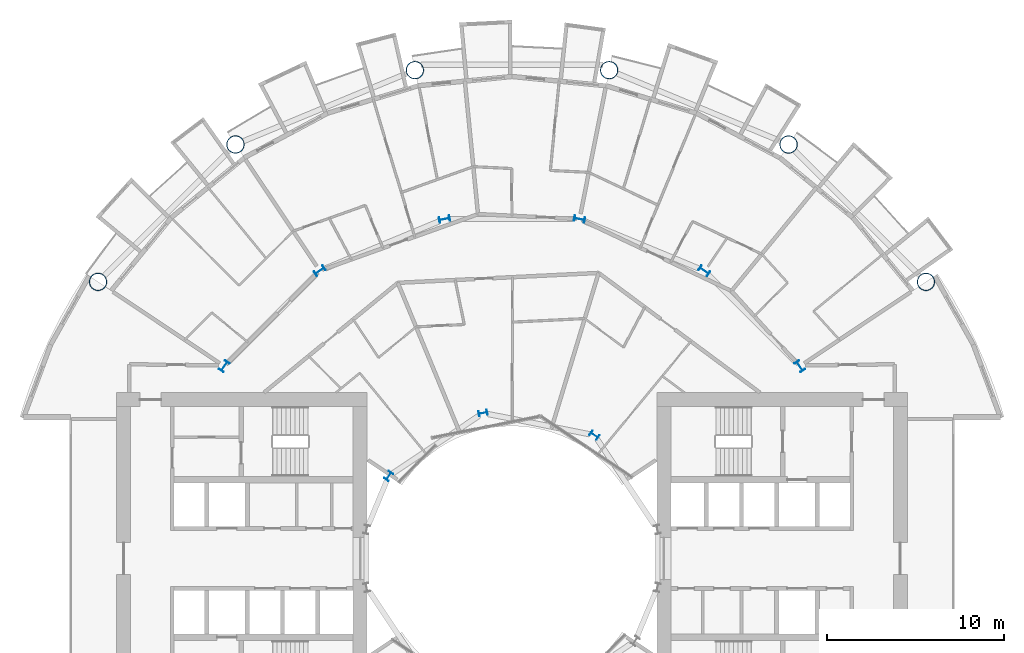
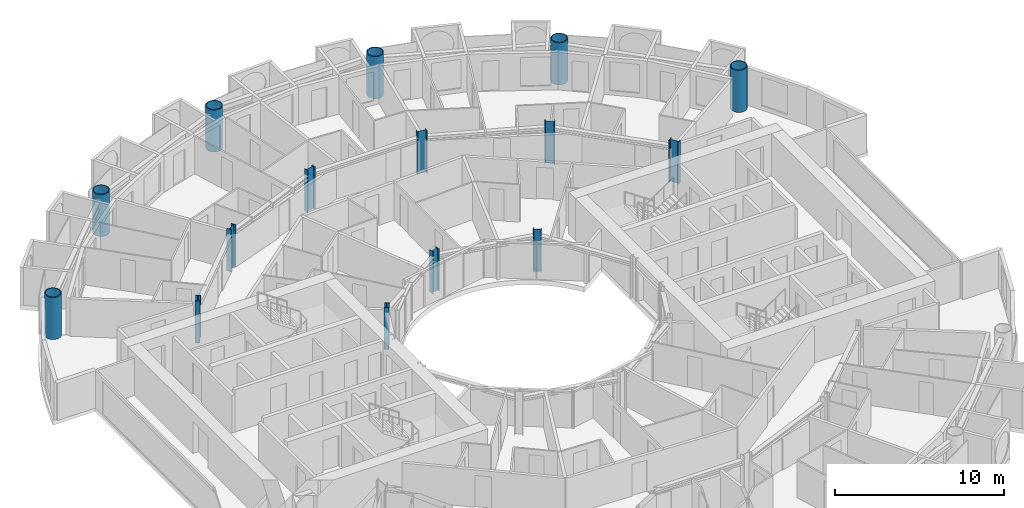
# One storey, part 3 of 25: 15 columns.
"""IFC4 building model written with IfcOpenShell, lengths in metres."""

from ifc_helpers import new_model, si_unit, direction, frame, origin, origin_2d, place, context, subcontext, project, spatial, hollow_circle, i_section, extrude, material, material_profile, profile_set, type_object, element, save


model = new_model("IFC4")

# Units and contexts
model_context = context("Model", 3, precision=1e-05, world=origin(), true_north=direction((0.0, 1.0)))
body_context = subcontext(model_context, "Body", "Model", "MODEL_VIEW")
ifc_project = project(units=[si_unit("LENGTHUNIT", "METRE"), si_unit("AREAUNIT", "SQUARE_METRE"), si_unit("VOLUMEUNIT", "CUBIC_METRE"), si_unit("PLANEANGLEUNIT", "RADIAN"), si_unit("MASSUNIT", "GRAM", prefix="KILO")], contexts=[model_context])

# Site, building, storey
site_placement = place(None, origin())
site = spatial("IfcSite", under=ifc_project, at=site_placement, CompositionType="ELEMENT")
building_placement = place(site_placement, origin())
building = spatial("IfcBuilding", under=site, at=building_placement, Name="Maasbend Ring Residences", CompositionType="ELEMENT")
storey_placement = place(building_placement, frame((0.0, 0.0, 41.10009765625)))
storey = spatial("IfcBuildingStorey", under=building, at=storey_placement, Name="L11", CompositionType="ELEMENT", Elevation=41.10009765625)

# Columns
ifc_material_1 = material(Name="Composite concrete-filled steel tube S460NH / C80/95", Category="concrete")
ifc_material_profile_1 = material_profile(ifc_material_1, hollow_circle(Radius=0.508056640625, WallThickness=0.050048828125, at=origin_2d()), Name="Composite tube column CHS 1016x50")
ifc_profile_set_1 = profile_set([ifc_material_profile_1], Name="Composite concrete-filled steel tube S460NH / C80/95")
column_type_1 = type_object("IfcColumnType", Name="Composite tube column CHS 1016x50", PredefinedType="COLUMN", material=ifc_profile_set_1)
for number, where, z_axis, x_axis, name in (
    (1, (23.447509765625, 15.6669921875, 0.0), (0.0, 0.0, 1.0), (1.0, 0.0, 0.0), "Outer column R2"),
    (2, (15.6669921875, 23.447509765625, 0.0), (0.0, 0.0, 1.0), (1.0, 0.0, 0.0), "Outer column R3"),
    (3, (5.50146484375, 27.658203125, 0.0), (0.0, 0.0, 1.0), (1.0, 0.0, 0.0), "Outer column R4"),
    (4, (-5.50146484375, 27.658203125, 0.0), (0.0, 0.0, 1.0), (1.0, 0.0, 0.0), "Outer column R5"),
    (5, (-15.6669921875, 23.447509765625, 0.0), (0.0, 0.0, 1.0), (1.0, 0.0, 0.0), "Outer column R6"),
    (6, (-23.447509765625, 15.6669921875, 0.0), (0.0, 0.0, 1.0), (1.0, 0.0, 0.0), "Outer column R7"),
):
    element("IfcColumn", number, at=place(storey_placement, frame(where, z_axis=z_axis, x_axis=x_axis)), inside=storey, type_object=column_type_1, Name=name, PredefinedType="COLUMN", context=body_context, shape_type="SweptSolid", body=[
        extrude(hollow_circle(Radius=0.508056640625, WallThickness=0.050048828125, at=origin_2d()), origin(), (0.0, 0.0, 1.0), 3.0498046875),
    ])
ifc_material_2 = material(Name="Steel S355J2", Category="steel")
ifc_material_profile_2 = material_profile(ifc_material_2, i_section(OverallWidth=0.300048828125, OverallDepth=0.5, WebThickness=0.014404296875, FlangeThickness=0.028076171875, FilletRadius=0.027099609375, at=origin_2d()), Name="HEB 500")
ifc_profile_set_2 = profile_set([ifc_material_profile_2], Name="Steel S355J2")
column_type_2 = type_object("IfcColumnType", Name="Steel column HEB 500", PredefinedType="COLUMN", material=ifc_profile_set_2)
for number, where, z_axis, x_axis, name in (
    (7, (4.666748046875, 6.984375, 0.0), (0.0, 0.0, 1.0), (0.55557023302, 0.831469612303, 0.0), "Well ring column R3"),
    (8, (-1.638916015625, 8.238525390625, 0.0), (0.0, 0.0, 1.0), (-0.195090322016, 0.980785280403, 0.0), "Well ring column R5"),
    (9, (-6.984375, 4.666748046875, 0.0), (0.0, 0.0, 1.0), (-0.831469612303, 0.55557023302, 0.0), "Well ring column R7"),
):
    element("IfcColumn", number, at=place(storey_placement, frame(where, z_axis=z_axis, x_axis=x_axis)), inside=storey, type_object=column_type_2, Name=name, PredefinedType="COLUMN", context=body_context, shape_type="SweptSolid", body=[
        extrude(i_section(OverallWidth=0.300048828125, OverallDepth=0.5, WebThickness=0.014404296875, FlangeThickness=0.028076171875, FilletRadius=0.027099609375, at=origin_2d()), origin(), (0.0, 0.0, 1.0), 3.0498046875),
    ])
ifc_material_3 = material(Name="Steel S460M", Category="steel")
ifc_material_profile_3 = material_profile(ifc_material_3, i_section(OverallWidth=0.304931640625, OverallDepth=0.6201171875, WebThickness=0.02099609375, FlangeThickness=0.0400390625, FilletRadius=0.027099609375, at=origin_2d()), Name="HEM 600")
ifc_profile_set_3 = profile_set([ifc_material_profile_3], Name="Steel S460M")
column_type_3 = type_object("IfcColumnType", Name="Steel column HEM 600", PredefinedType="COLUMN", material=ifc_profile_set_3)
for number, where, z_axis, x_axis, name in (
    (10, (16.296875, 10.88916015625, 0.0), (0.0, 0.0, 1.0), (0.831469612303, 0.55557023302, 0.0), "Corridor ring column R2"),
    (11, (10.88916015625, 16.296875, 0.0), (0.0, 0.0, 1.0), (0.55557023302, 0.831469612303, 0.0), "Corridor ring column R3"),
    (12, (3.82373046875, 19.223388671875, 0.0), (0.0, 0.0, 1.0), (0.195090322016, 0.980785280403, 0.0), "Corridor ring column R4"),
    (13, (-3.82373046875, 19.223388671875, 0.0), (0.0, 0.0, 1.0), (-0.195090322016, 0.980785280403, 0.0), "Corridor ring column R5"),
    (14, (-10.88916015625, 16.296875, 0.0), (0.0, 0.0, 1.0), (-0.55557023302, 0.831469612303, 0.0), "Corridor ring column R6"),
    (15, (-16.296875, 10.88916015625, 0.0), (0.0, 0.0, 1.0), (-0.831469612303, 0.55557023302, 0.0), "Corridor ring column R7"),
):
    element("IfcColumn", number, at=place(storey_placement, frame(where, z_axis=z_axis, x_axis=x_axis)), inside=storey, type_object=column_type_3, Name=name, PredefinedType="COLUMN", context=body_context, shape_type="SweptSolid", body=[
        extrude(i_section(OverallWidth=0.304931640625, OverallDepth=0.6201171875, WebThickness=0.02099609375, FlangeThickness=0.0400390625, FilletRadius=0.027099609375, at=origin_2d()), origin(), (0.0, 0.0, 1.0), 3.0498046875),
    ])

save(model, "model.ifc")
